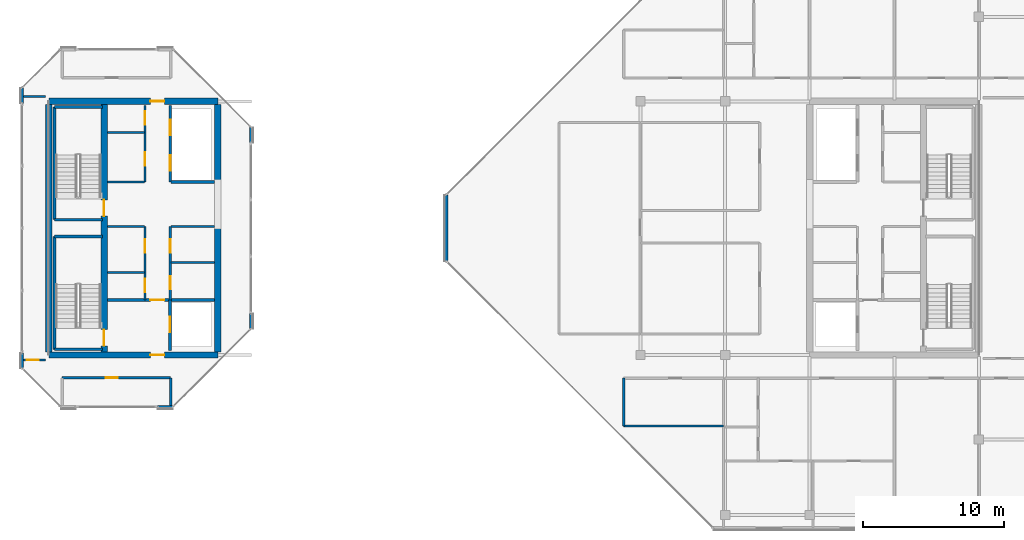
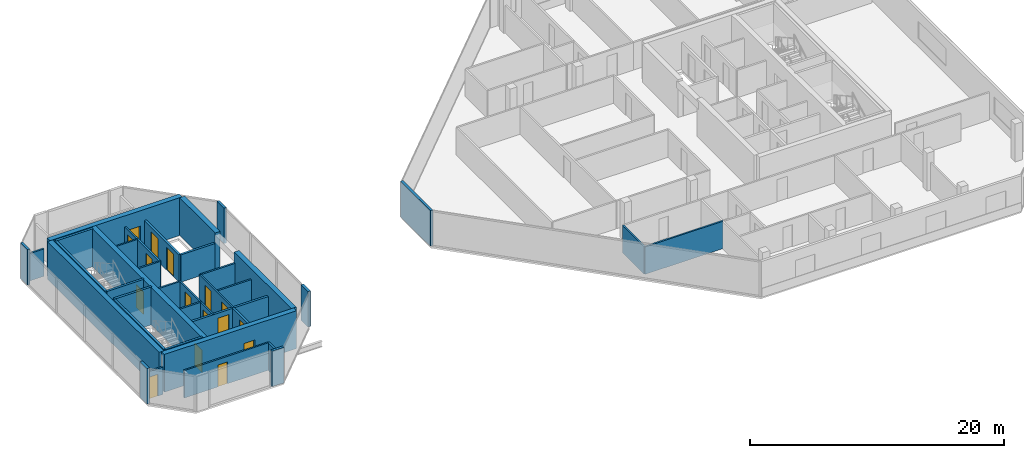
# One storey, part 21 of 28: 37 walls, 16 doors, 16 openings.
"""IFC4 building model written with IfcOpenShell, lengths in metres."""

from ifc_helpers import new_model, si_unit, direction, frame, frame_2d, origin, place, context, subcontext, project, spatial, rectangle, extrude, material, layer, layer_set, type_object, element, fill, save


model = new_model("IFC4")

# Units and contexts
model_context = context("Model", 3, precision=1e-05, world=origin(), true_north=direction((0.0, 1.0)))
body_context = subcontext(model_context, "Body", "Model", "MODEL_VIEW")
ifc_project = project(units=[si_unit("LENGTHUNIT", "METRE"), si_unit("AREAUNIT", "SQUARE_METRE"), si_unit("VOLUMEUNIT", "CUBIC_METRE"), si_unit("PLANEANGLEUNIT", "RADIAN"), si_unit("MASSUNIT", "GRAM", prefix="KILO")], contexts=[model_context])

# Site, building, storey
site_placement = place(None, origin())
site = spatial("IfcSite", under=ifc_project, at=site_placement, CompositionType="ELEMENT")
building_placement = place(site_placement, origin())
building = spatial("IfcBuilding", under=site, at=building_placement, Name="Tanjung Sevakor Pilgrim Tower", CompositionType="ELEMENT")
storey_placement = place(building_placement, frame((0.0, 0.0, 249.81005859375)))
storey = spatial("IfcBuildingStorey", under=building, at=storey_placement, Name="L70", CompositionType="ELEMENT", Elevation=249.81005859375)

# Wall, opening, door
ifc_material_1 = material(Name="Concrete C60/75", Category="concrete")
ifc_layer_1 = layer(ifc_material_1, 0.449951171875)
ifc_layer_set_1 = layer_set([ifc_layer_1], Name="WALL-CW-450")
wall_type_1 = type_object("IfcWallType", Name="WALL-CW-450", PredefinedType="SHEAR", material=ifc_layer_set_1)
wall_1_placement = place(storey_placement, frame((24.0, 24.60009765625, 0.0), z_axis=(0.0, 0.0, 1.0), x_axis=(1.0, 0.0, 0.0)))
wall_1 = element("IfcWall", 1, at=wall_1_placement, inside=storey, type_object=wall_type_1, Name="L70 W Core South Shear Wall", PredefinedType="SHEAR", context=body_context, shape_type="SweptSolid", body=[
    extrude(rectangle(XDim=12.0, YDim=0.449951171875, at=frame_2d((6.0, 0.0))), origin(), (0.0, 0.0, 1.0), 3.6298828125),
])
opening_1_placement = place(wall_1_placement, frame((7.199951171875, 0.0, 0.0)))
opening_1 = element("IfcOpeningElement", 2, at=opening_1_placement, cuts=wall_1, Name="Opening ID-FD1", PredefinedType="OPENING", context=body_context, shape_type="SweptSolid", body=[
    extrude(rectangle(XDim=1.0, YDim=2.14990234375, at=frame_2d((0.5, 1.074951171875))), frame((0.0, 0.23486328125, 0.0), z_axis=(0.0, -1.0, 0.0), x_axis=(1.0, 0.0, 0.0)), (0.0, 0.0, 1.0), 0.469970703125),
])
ifc_material_2 = material(Name="Fire-Rated Steel S355J2", Category="steel")
door_type_1 = type_object("IfcDoorType", Name="DT-FIRE-1000", OperationType="NOTDEFINED", PredefinedType="DOOR", material=ifc_material_2)
door_1_placement = place(opening_1_placement, origin())
door_1 = element("IfcDoor", 3, at=door_1_placement, inside=storey, type_object=door_type_1, Name="L70 West Core South Vestibule Fire Door", OperationType="SINGLE_SWING_LEFT", OverallHeight=2.14990234375, OverallWidth=1.0, PredefinedType="DOOR", context=body_context, shape_type="SweptSolid", body=[
    extrude(rectangle(XDim=1.0, YDim=2.14990234375, at=frame_2d((0.5, 1.074951171875))), frame((0.0, 0.02490234375, 0.0), z_axis=(0.0, -1.0, 0.0), x_axis=(1.0, 0.0, 0.0)), (0.0, 0.0, 1.0), 0.050048828125),
])
fill(opening_1, door_1)

wall_2_placement = place(storey_placement, frame((36.0, 42.60009765625, 0.0), z_axis=(0.0, 0.0, 1.0), x_axis=(-1.0, 0.0, 0.0)))
wall_2 = element("IfcWall", 4, at=wall_2_placement, inside=storey, type_object=wall_type_1, Name="L70 W Core North Shear Wall", PredefinedType="SHEAR", context=body_context, shape_type="SweptSolid", body=[
    extrude(rectangle(XDim=12.0, YDim=0.449951171875, at=frame_2d((6.0, 0.0))), origin(), (0.0, 0.0, 1.0), 3.6298828125),
])
opening_2_placement = place(wall_2_placement, frame((3.800048828125, 0.0, 0.0)))
opening_2 = element("IfcOpeningElement", 5, at=opening_2_placement, cuts=wall_2, Name="Opening ID-FD1", PredefinedType="OPENING", context=body_context, shape_type="SweptSolid", body=[
    extrude(rectangle(XDim=1.0, YDim=2.14990234375, at=frame_2d((0.5, 1.074951171875))), frame((0.0, 0.23486328125, 0.0), z_axis=(0.0, -1.0, 0.0), x_axis=(1.0, 0.0, 0.0)), (0.0, 0.0, 1.0), 0.469970703125),
])
door_2_placement = place(opening_2_placement, origin())
door_2 = element("IfcDoor", 6, at=door_2_placement, inside=storey, type_object=door_type_1, Name="L70 West Core North Vestibule Fire Door", OperationType="SINGLE_SWING_RIGHT", OverallHeight=2.14990234375, OverallWidth=1.0, PredefinedType="DOOR", context=body_context, shape_type="SweptSolid", body=[
    extrude(rectangle(XDim=1.0, YDim=2.14990234375, at=frame_2d((0.5, 1.074951171875))), frame((0.0, 0.02490234375, 0.0), z_axis=(0.0, -1.0, 0.0), x_axis=(1.0, 0.0, 0.0)), (0.0, 0.0, 1.0), 0.050048828125),
])
fill(opening_2, door_2)

# Walls
wall_3_placement = place(storey_placement, frame((24.0, 24.824951171875, 0.0), z_axis=(0.0, 0.0, 1.0), x_axis=(0.0, 1.0, 0.0)))
element("IfcWall", 7, at=wall_3_placement, inside=storey, type_object=wall_type_1, Name="L70 W Core Outer Shear Wall", PredefinedType="SHEAR", context=body_context, shape_type="SweptSolid", body=[
    extrude(rectangle(XDim=17.550048828125, YDim=0.449951171875, at=frame_2d((8.77490234375, 0.0))), origin(), (0.0, 0.0, 1.0), 3.6298828125),
])
wall_4_placement = place(storey_placement, frame((36.0, 24.824951171875, 0.0), z_axis=(0.0, 0.0, 1.0), x_axis=(0.0, 1.0, 0.0)))
element("IfcWall", 8, at=wall_4_placement, inside=storey, type_object=wall_type_1, Name="L70 W Core Inner Shear Wall South", PredefinedType="SHEAR", context=body_context, shape_type="SweptSolid", body=[
    extrude(rectangle(XDim=8.97509765625, YDim=0.449951171875, at=frame_2d((4.487548828125, 0.0))), origin(), (0.0, 0.0, 1.0), 3.6298828125),
])
wall_5_placement = place(storey_placement, frame((36.0, 36.800048828125, 0.0), z_axis=(0.0, 0.0, 1.0), x_axis=(0.0, 1.0, 0.0)))
element("IfcWall", 9, at=wall_5_placement, inside=storey, type_object=wall_type_1, Name="L70 W Core Inner Shear Wall North", PredefinedType="SHEAR", context=body_context, shape_type="SweptSolid", body=[
    extrude(rectangle(XDim=5.574951171875, YDim=0.449951171875, at=frame_2d((2.78759765625, 0.0))), origin(), (0.0, 0.0, 1.0), 3.6298828125),
])

# Wall, openings, doors
wall_6_placement = place(storey_placement, frame((27.925048828125, 24.824951171875, 0.0), z_axis=(0.0, 0.0, 1.0), x_axis=(0.0, 1.0, 0.0)))
wall_6 = element("IfcWall", 10, at=wall_6_placement, inside=storey, type_object=wall_type_1, Name="L70 W Core Stair Spine Wall", PredefinedType="SHEAR", context=body_context, shape_type="SweptSolid", body=[
    extrude(rectangle(XDim=17.550048828125, YDim=0.449951171875, at=frame_2d((8.77490234375, 0.0))), origin(), (0.0, 0.0, 1.0), 3.6298828125),
])
opening_3_placement = place(wall_6_placement, frame((0.425048828125, 0.0, 0.0)))
opening_3 = element("IfcOpeningElement", 11, at=opening_3_placement, cuts=wall_6, Name="Opening ID-ST1", PredefinedType="OPENING", context=body_context, shape_type="SweptSolid", body=[
    extrude(rectangle(XDim=1.14990234375, YDim=2.14990234375, at=frame_2d((0.574951171875, 1.074951171875))), frame((0.0, 0.23486328125, 0.0), z_axis=(0.0, -1.0, 0.0), x_axis=(1.0, 0.0, 0.0)), (0.0, 0.0, 1.0), 0.469970703125),
])
opening_4_placement = place(wall_6_placement, frame((9.625, 0.0, 0.0)))
opening_4 = element("IfcOpeningElement", 12, at=opening_4_placement, cuts=wall_6, Name="Opening ID-ST1", PredefinedType="OPENING", context=body_context, shape_type="SweptSolid", body=[
    extrude(rectangle(XDim=1.14990234375, YDim=2.14990234375, at=frame_2d((0.574951171875, 1.074951171875))), frame((0.0, 0.23486328125, 0.0), z_axis=(0.0, -1.0, 0.0), x_axis=(1.0, 0.0, 0.0)), (0.0, 0.0, 1.0), 0.469970703125),
])
ifc_material_3 = material(Name="Fire-Rated Steel S355J2", Category="steel")
door_type_2 = type_object("IfcDoorType", Name="DT-FIRE-1150", OperationType="NOTDEFINED", PredefinedType="DOOR", material=ifc_material_3)
door_3_placement = place(opening_3_placement, origin())
door_3 = element("IfcDoor", 13, at=door_3_placement, inside=storey, type_object=door_type_2, Name="L70 TS-W1 Stair Fire Door", OperationType="SINGLE_SWING_LEFT", OverallHeight=2.14990234375, OverallWidth=1.14990234375, PredefinedType="DOOR", context=body_context, shape_type="SweptSolid", body=[
    extrude(rectangle(XDim=1.14990234375, YDim=2.14990234375, at=frame_2d((0.574951171875, 1.074951171875))), frame((0.0, 0.02490234375, 0.0), z_axis=(0.0, -1.0, 0.0), x_axis=(1.0, 0.0, 0.0)), (0.0, 0.0, 1.0), 0.050048828125),
])
fill(opening_3, door_3)
door_4_placement = place(opening_4_placement, origin())
door_4 = element("IfcDoor", 14, at=door_4_placement, inside=storey, type_object=door_type_2, Name="L70 TS-W2 Stair Fire Door", OperationType="SINGLE_SWING_RIGHT", OverallHeight=2.14990234375, OverallWidth=1.14990234375, PredefinedType="DOOR", context=body_context, shape_type="SweptSolid", body=[
    extrude(rectangle(XDim=1.14990234375, YDim=2.14990234375, at=frame_2d((0.574951171875, 1.074951171875))), frame((0.0, 0.02490234375, 0.0), z_axis=(0.0, -1.0, 0.0), x_axis=(1.0, 0.0, 0.0)), (0.0, 0.0, 1.0), 0.050048828125),
])
fill(opening_4, door_4)

# Walls
ifc_material_4 = material(Name="Concrete C40/50", Category="concrete")
ifc_layer_2 = layer(ifc_material_4, 0.14990234375)
ifc_layer_set_2 = layer_set([ifc_layer_2], Name="WT-COMP-150")
wall_type_2 = type_object("IfcWallType", Name="WT-COMP-150", PredefinedType="SOLIDWALL", material=ifc_layer_set_2)
for number, where, z_axis, x_axis, name in (
    (15, (28.169921875, 30.449951171875, 0.0), (0.0, 0.0, 1.0), (1.0, 0.0, 0.0), "L70 Partition IW-L70-003"),
    (16, (28.169921875, 33.719970703125, 0.0), (0.0, 0.0, 1.0), (1.0, 0.0, 0.0), "L70 Partition IW-L70-004"),
):
    element("IfcWall", number, at=place(storey_placement, frame(where, z_axis=z_axis, x_axis=x_axis)), inside=storey, type_object=wall_type_2, Name=name, PredefinedType="SOLIDWALL", context=body_context, shape_type="SweptSolid", body=[
        extrude(rectangle(XDim=2.630126953125, YDim=0.14990234375, at=frame_2d((1.31494140625, 0.0))), origin(), (0.0, 0.0, 1.0), 2.6298828125),
    ])

# Wall, openings, doors
wall_7_placement = place(storey_placement, frame((30.820068359375, 28.5, 0.0), z_axis=(0.0, 0.0, 1.0), x_axis=(0.0, 1.0, 0.0)))
wall_7 = element("IfcWall", 17, at=wall_7_placement, inside=storey, type_object=wall_type_2, Name="L70 Partition IW-L70-005", PredefinedType="SOLIDWALL", context=body_context, shape_type="SweptSolid", body=[
    extrude(rectangle(XDim=5.219970703125, YDim=0.14990234375, at=frame_2d((2.60986328125, 0.0))), origin(), (0.0, 0.0, 1.0), 2.6298828125),
])
opening_5_placement = place(wall_7_placement, frame((0.550048828125, 0.0, 0.0)))
opening_5 = element("IfcOpeningElement", 18, at=opening_5_placement, cuts=wall_7, Name="Opening ID-FD2", PredefinedType="OPENING", context=body_context, shape_type="SweptSolid", body=[
    extrude(rectangle(XDim=0.949951171875, YDim=2.14990234375, at=frame_2d((0.47509765625, 1.074951171875))), frame((0.0, 0.0849609375, 0.0), z_axis=(0.0, -1.0, 0.0), x_axis=(1.0, 0.0, 0.0)), (0.0, 0.0, 1.0), 0.169921875),
])
opening_6_placement = place(wall_7_placement, frame((3.35009765625, 0.0, 0.0)))
opening_6 = element("IfcOpeningElement", 19, at=opening_6_placement, cuts=wall_7, Name="Opening ID-FD2", PredefinedType="OPENING", context=body_context, shape_type="SweptSolid", body=[
    extrude(rectangle(XDim=0.949951171875, YDim=2.14990234375, at=frame_2d((0.47509765625, 1.074951171875))), frame((0.0, 0.0849609375, 0.0), z_axis=(0.0, -1.0, 0.0), x_axis=(1.0, 0.0, 0.0)), (0.0, 0.0, 1.0), 0.169921875),
])
ifc_material_5 = material(Name="Fire-Rated Timber", Category="wood")
door_type_3 = type_object("IfcDoorType", Name="DT-FIRE-950", OperationType="NOTDEFINED", PredefinedType="DOOR", material=ifc_material_5)
door_5_placement = place(opening_5_placement, origin())
door_5 = element("IfcDoor", 20, at=door_5_placement, inside=storey, type_object=door_type_3, Name="L70 Cleaner Store Door", OperationType="SINGLE_SWING_LEFT", OverallHeight=2.14990234375, OverallWidth=0.949951171875, PredefinedType="DOOR", context=body_context, shape_type="SweptSolid", body=[
    extrude(rectangle(XDim=0.949951171875, YDim=2.14990234375, at=frame_2d((0.47509765625, 1.074951171875))), frame((0.0, 0.02490234375, 0.0), z_axis=(0.0, -1.0, 0.0), x_axis=(1.0, 0.0, 0.0)), (0.0, 0.0, 1.0), 0.050048828125),
])
fill(opening_5, door_5)
door_6_placement = place(opening_6_placement, origin())
door_6 = element("IfcDoor", 21, at=door_6_placement, inside=storey, type_object=door_type_3, Name="L70 Housekeeping Pantry Door", OperationType="SINGLE_SWING_RIGHT", OverallHeight=2.14990234375, OverallWidth=0.949951171875, PredefinedType="DOOR", context=body_context, shape_type="SweptSolid", body=[
    extrude(rectangle(XDim=0.949951171875, YDim=2.14990234375, at=frame_2d((0.47509765625, 1.074951171875))), frame((0.0, 0.02490234375, 0.0), z_axis=(0.0, -1.0, 0.0), x_axis=(1.0, 0.0, 0.0)), (0.0, 0.0, 1.0), 0.050048828125),
])
fill(opening_6, door_6)

# Walls
for number, where, z_axis, x_axis, name in (
    (22, (32.679931640625, 31.14990234375, 0.0), (0.0, 0.0, 1.0), (1.0, 0.0, 0.0), "L70 Partition IW-L70-006"),
    (23, (32.679931640625, 33.719970703125, 0.0), (0.0, 0.0, 1.0), (1.0, 0.0, 0.0), "L70 Partition IW-L70-007"),
):
    element("IfcWall", number, at=place(storey_placement, frame(where, z_axis=z_axis, x_axis=x_axis)), inside=storey, type_object=wall_type_2, Name=name, PredefinedType="SOLIDWALL", context=body_context, shape_type="SweptSolid", body=[
        extrude(rectangle(XDim=3.074951171875, YDim=0.14990234375, at=frame_2d((1.53759765625, 0.0))), origin(), (0.0, 0.0, 1.0), 2.6298828125),
    ])

# Wall, openings, doors
wall_8_placement = place(storey_placement, frame((32.6201171875, 28.5, 0.0), z_axis=(0.0, 0.0, 1.0), x_axis=(0.0, 1.0, 0.0)))
wall_8 = element("IfcWall", 24, at=wall_8_placement, inside=storey, type_object=wall_type_2, Name="L70 Partition IW-L70-008", PredefinedType="SOLIDWALL", context=body_context, shape_type="SweptSolid", body=[
    extrude(rectangle(XDim=5.219970703125, YDim=0.14990234375, at=frame_2d((2.60986328125, 0.0))), origin(), (0.0, 0.0, 1.0), 2.6298828125),
])
opening_7_placement = place(wall_8_placement, frame((0.75, 0.0, 0.0)))
opening_7 = element("IfcOpeningElement", 25, at=opening_7_placement, cuts=wall_8, Name="Opening ID-FD2", PredefinedType="OPENING", context=body_context, shape_type="SweptSolid", body=[
    extrude(rectangle(XDim=0.949951171875, YDim=2.14990234375, at=frame_2d((0.47509765625, 1.074951171875))), frame((0.0, 0.0849609375, 0.0), z_axis=(0.0, -1.0, 0.0), x_axis=(1.0, 0.0, 0.0)), (0.0, 0.0, 1.0), 0.169921875),
])
opening_8_placement = place(wall_8_placement, frame((3.35009765625, 0.0, 0.0)))
opening_8 = element("IfcOpeningElement", 26, at=opening_8_placement, cuts=wall_8, Name="Opening ID-FD2", PredefinedType="OPENING", context=body_context, shape_type="SweptSolid", body=[
    extrude(rectangle(XDim=0.949951171875, YDim=2.14990234375, at=frame_2d((0.47509765625, 1.074951171875))), frame((0.0, 0.0849609375, 0.0), z_axis=(0.0, -1.0, 0.0), x_axis=(1.0, 0.0, 0.0)), (0.0, 0.0, 1.0), 0.169921875),
])
door_7_placement = place(opening_7_placement, origin())
door_7 = element("IfcDoor", 27, at=door_7_placement, inside=storey, type_object=door_type_3, Name="L70 Accessible WC Door", OperationType="SINGLE_SWING_LEFT", OverallHeight=2.14990234375, OverallWidth=0.949951171875, PredefinedType="DOOR", context=body_context, shape_type="SweptSolid", body=[
    extrude(rectangle(XDim=0.949951171875, YDim=2.14990234375, at=frame_2d((0.47509765625, 1.074951171875))), frame((0.0, 0.02490234375, 0.0), z_axis=(0.0, -1.0, 0.0), x_axis=(1.0, 0.0, 0.0)), (0.0, 0.0, 1.0), 0.050048828125),
])
fill(opening_7, door_7)
door_8_placement = place(opening_8_placement, origin())
door_8 = element("IfcDoor", 28, at=door_8_placement, inside=storey, type_object=door_type_3, Name="L70 Core Service Door", OperationType="SINGLE_SWING_RIGHT", OverallHeight=2.14990234375, OverallWidth=0.949951171875, PredefinedType="DOOR", context=body_context, shape_type="SweptSolid", body=[
    extrude(rectangle(XDim=0.949951171875, YDim=2.14990234375, at=frame_2d((0.47509765625, 1.074951171875))), frame((0.0, 0.02490234375, 0.0), z_axis=(0.0, -1.0, 0.0), x_axis=(1.0, 0.0, 0.0)), (0.0, 0.0, 1.0), 0.050048828125),
])
fill(opening_8, door_8)

# Walls
for number, where, z_axis, x_axis, name in (
    (29, (28.169921875, 36.8798828125, 0.0), (0.0, 0.0, 1.0), (1.0, 0.0, 0.0), "L70 Partition IW-L70-009"),
    (30, (28.169921875, 40.389892578125, 0.0), (0.0, 0.0, 1.0), (1.0, 0.0, 0.0), "L70 Partition IW-L70-010"),
):
    element("IfcWall", number, at=place(storey_placement, frame(where, z_axis=z_axis, x_axis=x_axis)), inside=storey, type_object=wall_type_2, Name=name, PredefinedType="SOLIDWALL", context=body_context, shape_type="SweptSolid", body=[
        extrude(rectangle(XDim=2.630126953125, YDim=0.14990234375, at=frame_2d((1.31494140625, 0.0))), origin(), (0.0, 0.0, 1.0), 2.6298828125),
    ])

# Wall, openings, doors
wall_9_placement = place(storey_placement, frame((30.820068359375, 36.8798828125, 0.0), z_axis=(0.0, 0.0, 1.0), x_axis=(0.0, 1.0, 0.0)))
wall_9 = element("IfcWall", 31, at=wall_9_placement, inside=storey, type_object=wall_type_2, Name="L70 Partition IW-L70-011", PredefinedType="SOLIDWALL", context=body_context, shape_type="SweptSolid", body=[
    extrude(rectangle(XDim=5.420166015625, YDim=0.14990234375, at=frame_2d((2.7099609375, 0.0))), origin(), (0.0, 0.0, 1.0), 2.6298828125),
])
opening_9_placement = place(wall_9_placement, frame((1.14990234375, 0.0, 0.0)))
opening_9 = element("IfcOpeningElement", 32, at=opening_9_placement, cuts=wall_9, Name="Opening ID-FD2", PredefinedType="OPENING", context=body_context, shape_type="SweptSolid", body=[
    extrude(rectangle(XDim=0.949951171875, YDim=2.14990234375, at=frame_2d((0.47509765625, 1.074951171875))), frame((0.0, 0.0849609375, 0.0), z_axis=(0.0, -1.0, 0.0), x_axis=(1.0, 0.0, 0.0)), (0.0, 0.0, 1.0), 0.169921875),
])
opening_10_placement = place(wall_9_placement, frame((4.050048828125, 0.0, 0.0)))
opening_10 = element("IfcOpeningElement", 33, at=opening_10_placement, cuts=wall_9, Name="Opening ID-FD2", PredefinedType="OPENING", context=body_context, shape_type="SweptSolid", body=[
    extrude(rectangle(XDim=0.949951171875, YDim=2.14990234375, at=frame_2d((0.47509765625, 1.074951171875))), frame((0.0, 0.0849609375, 0.0), z_axis=(0.0, -1.0, 0.0), x_axis=(1.0, 0.0, 0.0)), (0.0, 0.0, 1.0), 0.169921875),
])
door_9_placement = place(opening_9_placement, origin())
door_9 = element("IfcDoor", 34, at=door_9_placement, inside=storey, type_object=door_type_3, Name="L70 Core Study Room Door", OperationType="SINGLE_SWING_LEFT", OverallHeight=2.14990234375, OverallWidth=0.949951171875, PredefinedType="DOOR", context=body_context, shape_type="SweptSolid", body=[
    extrude(rectangle(XDim=0.949951171875, YDim=2.14990234375, at=frame_2d((0.47509765625, 1.074951171875))), frame((0.0, 0.02490234375, 0.0), z_axis=(0.0, -1.0, 0.0), x_axis=(1.0, 0.0, 0.0)), (0.0, 0.0, 1.0), 0.050048828125),
])
fill(opening_9, door_9)
door_10_placement = place(opening_10_placement, origin())
door_10 = element("IfcDoor", 35, at=door_10_placement, inside=storey, type_object=door_type_3, Name="L70 Service Store Door", OperationType="SINGLE_SWING_RIGHT", OverallHeight=2.14990234375, OverallWidth=0.949951171875, PredefinedType="DOOR", context=body_context, shape_type="SweptSolid", body=[
    extrude(rectangle(XDim=0.949951171875, YDim=2.14990234375, at=frame_2d((0.47509765625, 1.074951171875))), frame((0.0, 0.02490234375, 0.0), z_axis=(0.0, -1.0, 0.0), x_axis=(1.0, 0.0, 0.0)), (0.0, 0.0, 1.0), 0.050048828125),
])
fill(opening_10, door_10)

# Wall, opening, door
wall_10_placement = place(storey_placement, frame((24.949951171875, 22.97998046875, 0.0), z_axis=(0.0, 0.0, 1.0), x_axis=(1.0, 0.0, 0.0)))
wall_10 = element("IfcWall", 36, at=wall_10_placement, inside=storey, type_object=wall_type_2, Name="L70 Partition IW-L70-027", PredefinedType="SOLIDWALL", context=body_context, shape_type="SweptSolid", body=[
    extrude(rectangle(XDim=7.699951171875, YDim=0.14990234375, at=frame_2d((3.85009765625, 0.0))), origin(), (0.0, 0.0, 1.0), 2.6298828125),
])
opening_11_placement = place(wall_10_placement, frame((3.074951171875, 0.0, 0.0)))
opening_11 = element("IfcOpeningElement", 37, at=opening_11_placement, cuts=wall_10, Name="Opening ID-WC1", PredefinedType="OPENING", context=body_context, shape_type="SweptSolid", body=[
    extrude(rectangle(XDim=0.85009765625, YDim=2.10009765625, at=frame_2d((0.425048828125, 1.050048828125))), frame((0.0, 0.0849609375, 0.0), z_axis=(0.0, -1.0, 0.0), x_axis=(1.0, 0.0, 0.0)), (0.0, 0.0, 1.0), 0.169921875),
])
ifc_material_6 = material(Name="Moisture-Resistant Timber", Category="wood")
door_type_4 = type_object("IfcDoorType", Name="DT-INT-850", OperationType="NOTDEFINED", PredefinedType="DOOR", material=ifc_material_6)
door_11_placement = place(opening_11_placement, origin())
door_11 = element("IfcDoor", 38, at=door_11_placement, inside=storey, type_object=door_type_4, Name="L70 West Peak Meditation Door", OperationType="SINGLE_SWING_LEFT", OverallHeight=2.10009765625, OverallWidth=0.85009765625, PredefinedType="DOOR", context=body_context, shape_type="SweptSolid", body=[
    extrude(rectangle(XDim=0.85009765625, YDim=2.10009765625, at=frame_2d((0.425048828125, 1.050048828125))), frame((0.0, 0.02490234375, 0.0), z_axis=(0.0, -1.0, 0.0), x_axis=(1.0, 0.0, 0.0)), (0.0, 0.0, 1.0), 0.050048828125),
])
fill(opening_11, door_11)

# Wall
wall_11_placement = place(storey_placement, frame((32.64990234375, 20.919921875, 0.0), z_axis=(0.0, 0.0, 1.0), x_axis=(0.0, 1.0, 0.0)))
element("IfcWall", 39, at=wall_11_placement, inside=storey, type_object=wall_type_2, Name="L70 Partition IW-L70-029", PredefinedType="SOLIDWALL", context=body_context, shape_type="SweptSolid", body=[
    extrude(rectangle(XDim=2.06005859375, YDim=0.14990234375, at=frame_2d((1.030029296875, 0.0))), origin(), (0.0, 0.0, 1.0), 2.6298828125),
])

# Wall, opening, door
wall_12_placement = place(storey_placement, frame((22.1201171875, 24.25, 0.0), z_axis=(0.0, 0.0, 1.0), x_axis=(1.0, 0.0, 0.0)))
wall_12 = element("IfcWall", 40, at=wall_12_placement, inside=storey, type_object=wall_type_2, Name="L70 Partition IW-L70-030", PredefinedType="SOLIDWALL", context=body_context, shape_type="SweptSolid", body=[
    extrude(rectangle(XDim=1.639892578125, YDim=0.14990234375, at=frame_2d((0.81982421875, 0.0))), origin(), (0.0, 0.0, 1.0), 2.6298828125),
])
opening_12_placement = place(wall_12_placement, frame((0.324951171875, 0.0, 0.0)))
opening_12 = element("IfcOpeningElement", 41, at=opening_12_placement, cuts=wall_12, Name="Opening ID-WC1", PredefinedType="OPENING", context=body_context, shape_type="SweptSolid", body=[
    extrude(rectangle(XDim=0.85009765625, YDim=2.10009765625, at=frame_2d((0.425048828125, 1.050048828125))), frame((0.0, 0.0849609375, 0.0), z_axis=(0.0, -1.0, 0.0), x_axis=(1.0, 0.0, 0.0)), (0.0, 0.0, 1.0), 0.169921875),
])
door_12_placement = place(opening_12_placement, origin())
door_12 = element("IfcDoor", 42, at=door_12_placement, inside=storey, type_object=door_type_4, Name="L70 West Peak Sky Lounge Door", OperationType="SINGLE_SWING_RIGHT", OverallHeight=2.10009765625, OverallWidth=0.85009765625, PredefinedType="DOOR", context=body_context, shape_type="SweptSolid", body=[
    extrude(rectangle(XDim=0.85009765625, YDim=2.10009765625, at=frame_2d((0.425048828125, 1.050048828125))), frame((0.0, 0.02490234375, 0.0), z_axis=(0.0, -1.0, 0.0), x_axis=(1.0, 0.0, 0.0)), (0.0, 0.0, 1.0), 0.050048828125),
])
fill(opening_12, door_12)

# Walls
wall_13_placement = place(storey_placement, frame((22.1201171875, 42.949951171875, 0.0), z_axis=(0.0, 0.0, 1.0), x_axis=(1.0, 0.0, 0.0)))
element("IfcWall", 43, at=wall_13_placement, inside=storey, type_object=wall_type_2, Name="L70 Partition IW-L70-031", PredefinedType="SOLIDWALL", context=body_context, shape_type="SweptSolid", body=[
    extrude(rectangle(XDim=1.639892578125, YDim=0.14990234375, at=frame_2d((0.81982421875, 0.0))), origin(), (0.0, 0.0, 1.0), 2.6298828125),
])
wall_14_placement = place(storey_placement, frame((64.800048828125, 19.550048828125, 0.0), z_axis=(0.0, 0.0, 1.0), x_axis=(1.0, 0.0, 0.0)))
element("IfcWall", 44, at=wall_14_placement, inside=storey, type_object=wall_type_2, Name="L70 Partition IW-L70-035", PredefinedType="SOLIDWALL", context=body_context, shape_type="SweptSolid", body=[
    extrude(rectangle(XDim=7.079833984375, YDim=0.14990234375, at=frame_2d((3.5400390625, 0.0))), origin(), (0.0, 0.0, 1.0), 2.6298828125),
])
wall_15_placement = place(storey_placement, frame((64.800048828125, 19.550048828125, 0.0), z_axis=(0.0, 0.0, 1.0), x_axis=(0.0, 1.0, 0.0)))
element("IfcWall", 45, at=wall_15_placement, inside=storey, type_object=wall_type_2, Name="L70 Partition IW-L70-037", PredefinedType="SOLIDWALL", context=body_context, shape_type="SweptSolid", body=[
    extrude(rectangle(XDim=3.39990234375, YDim=0.14990234375, at=frame_2d((1.699951171875, 0.0))), origin(), (0.0, 0.0, 1.0), 2.6298828125),
])
ifc_material_7 = material(Name="Precast concrete C45/55", Category="concrete")
ifc_layer_3 = layer(ifc_material_7, 0.219970703125)
ifc_layer_set_3 = layer_set([ifc_layer_3], Name="WT-EW-STN4")
wall_type_3 = type_object("IfcWallType", Name="WT-EW-STN4", PredefinedType="SOLIDWALL", material=ifc_layer_set_3)
for number, where, z_axis, x_axis, name in (
    (46, (31.704345703125, 20.909912109375, 0.0), (0.0, 0.0, 1.0), (1.0, 0.0, 0.0), "L70 WEST Crown Pier 0-1B"),
    (47, (38.340087890625, 26.445556640625, 0.0), (0.0, 0.0, 1.0), (0.0, 1.0, 0.0), "L70 WEST Crown Pier 2-1A"),
    (48, (38.340087890625, 39.654296875, 0.0), (0.0, 0.0, 1.0), (0.0, 1.0, 0.0), "L70 WEST Crown Pier 2-1B"),
    (49, (22.110107421875, 43.554443359375, 0.0), (0.0, 0.0, 1.0), (0.0, -1.0, 0.0), "L70 WEST Crown Pier 6-1A"),
    (50, (22.110107421875, 24.74560546875, 0.0), (0.0, 0.0, 1.0), (0.0, -1.0, 0.0), "L70 WEST Crown Pier 6-1B"),
):
    element("IfcWall", number, at=place(storey_placement, frame(where, z_axis=z_axis, x_axis=x_axis)), inside=storey, type_object=wall_type_3, Name=name, PredefinedType="SOLIDWALL", context=body_context, shape_type="SweptSolid", body=[
        extrude(rectangle(XDim=1.10009765625, YDim=0.219970703125, at=frame_2d((0.550048828125, 0.0))), origin(), (0.0, 0.0, 1.0), 3.409912109375),
    ])
wall_16_placement = place(storey_placement, frame((52.2099609375, 35.954345703125, 0.0), z_axis=(0.0, 0.0, 1.0), x_axis=(0.0, -1.0, 0.0)))
element("IfcWall", 51, at=wall_16_placement, inside=storey, type_object=wall_type_3, Name="L70 EAST Exterior Wall 7", PredefinedType="SOLIDWALL", context=body_context, shape_type="SweptSolid", body=[
    extrude(rectangle(XDim=4.708740234375, YDim=0.219970703125, at=frame_2d((2.3544921875, 0.0))), origin(), (0.0, 0.0, 1.0), 3.409912109375),
])
ifc_material_8 = material(Name="Concrete C40/50", Category="concrete")
ifc_layer_4 = layer(ifc_material_8, 0.199951171875)
ifc_layer_set_4 = layer_set([ifc_layer_4], Name="WT-FIRE-200")
wall_type_4 = type_object("IfcWallType", Name="WT-FIRE-200", PredefinedType="SOLIDWALL", material=ifc_layer_set_4)
for number, where, z_axis, x_axis, name in (
    (52, (24.39990234375, 25.0, 0.0), (0.0, 0.0, 1.0), (1.0, 0.0, 0.0), "L70 TS-W1 Shaft Wall 1"),
    (53, (27.800048828125, 33.0, 0.0), (0.0, 0.0, 1.0), (-1.0, 0.0, 0.0), "L70 TS-W1 Shaft Wall 2"),
):
    element("IfcWall", number, at=place(storey_placement, frame(where, z_axis=z_axis, x_axis=x_axis)), inside=storey, type_object=wall_type_4, Name=name, PredefinedType="SOLIDWALL", context=body_context, shape_type="SweptSolid", body=[
        extrude(rectangle(XDim=3.400146484375, YDim=0.199951171875, at=frame_2d((1.7001953125, 0.0))), origin(), (0.0, 0.0, 1.0), 3.6298828125),
    ])
wall_17_placement = place(storey_placement, frame((24.39990234375, 33.0, 0.0), z_axis=(0.0, 0.0, 1.0), x_axis=(0.0, -1.0, 0.0)))
element("IfcWall", 54, at=wall_17_placement, inside=storey, type_object=wall_type_4, Name="L70 TS-W1 Shaft Wall 3", PredefinedType="SOLIDWALL", context=body_context, shape_type="SweptSolid", body=[
    extrude(rectangle(XDim=8.0, YDim=0.199951171875, at=frame_2d((4.0, 0.0))), origin(), (0.0, 0.0, 1.0), 3.6298828125),
])
for number, where, z_axis, x_axis, name in (
    (55, (24.39990234375, 34.199951171875, 0.0), (0.0, 0.0, 1.0), (1.0, 0.0, 0.0), "L70 TS-W2 Shaft Wall 1"),
    (56, (27.800048828125, 42.199951171875, 0.0), (0.0, 0.0, 1.0), (-1.0, 0.0, 0.0), "L70 TS-W2 Shaft Wall 2"),
):
    element("IfcWall", number, at=place(storey_placement, frame(where, z_axis=z_axis, x_axis=x_axis)), inside=storey, type_object=wall_type_4, Name=name, PredefinedType="SOLIDWALL", context=body_context, shape_type="SweptSolid", body=[
        extrude(rectangle(XDim=3.400146484375, YDim=0.199951171875, at=frame_2d((1.7001953125, 0.0))), origin(), (0.0, 0.0, 1.0), 3.6298828125),
    ])
wall_18_placement = place(storey_placement, frame((24.39990234375, 42.199951171875, 0.0), z_axis=(0.0, 0.0, 1.0), x_axis=(0.0, -1.0, 0.0)))
element("IfcWall", 57, at=wall_18_placement, inside=storey, type_object=wall_type_4, Name="L70 TS-W2 Shaft Wall 3", PredefinedType="SOLIDWALL", context=body_context, shape_type="SweptSolid", body=[
    extrude(rectangle(XDim=8.0, YDim=0.199951171875, at=frame_2d((4.0, 0.0))), origin(), (0.0, 0.0, 1.0), 3.6298828125),
])

# Wall, opening, door
ifc_material_9 = material(Name="Concrete C40/50", Category="concrete")
ifc_layer_5 = layer(ifc_material_9, 0.199951171875)
ifc_layer_set_5 = layer_set([ifc_layer_5], Name="WT-FPRT-200")
wall_type_5 = type_object("IfcWallType", Name="WT-FPRT-200", PredefinedType="SOLIDWALL", material=ifc_layer_set_5)
wall_19_placement = place(storey_placement, frame((32.60009765625, 24.919921875, 0.0), z_axis=(0.0, 0.0, 1.0), x_axis=(0.0, 1.0, 0.0)))
wall_19 = element("IfcWall", 58, at=wall_19_placement, inside=storey, type_object=wall_type_5, Name="L70 Partition IW-L70-001", PredefinedType="SOLIDWALL", context=body_context, shape_type="SweptSolid", body=[
    extrude(rectangle(XDim=3.580078125, YDim=0.199951171875, at=frame_2d((1.7900390625, 0.0))), origin(), (0.0, 0.0, 1.0), 2.6298828125),
])
opening_13_placement = place(wall_19_placement, frame((1.300048828125, 0.0, 0.0)))
opening_13 = element("IfcOpeningElement", 59, at=opening_13_placement, cuts=wall_19, Name="Opening LD-1100", PredefinedType="OPENING", context=body_context, shape_type="SweptSolid", body=[
    extrude(rectangle(XDim=1.10009765625, YDim=2.199951171875, at=frame_2d((0.550048828125, 1.10009765625))), frame((0.0, 0.10986328125, 0.0), z_axis=(0.0, -1.0, 0.0), x_axis=(1.0, 0.0, 0.0)), (0.0, 0.0, 1.0), 0.219970703125),
])
ifc_material_10 = material(Name="Brushed Stainless Steel S355J2", Category="steel")
door_type_5 = type_object("IfcDoorType", Name="DT-LIFT-1100", OperationType="SLIDING_TO_LEFT", PredefinedType="DOOR", material=ifc_material_10)
door_13_placement = place(opening_13_placement, origin())
door_13 = element("IfcDoor", 60, at=door_13_placement, inside=storey, type_object=door_type_5, Name="LD-FL-W", OperationType="SLIDING_TO_LEFT", OverallHeight=2.199951171875, OverallWidth=1.10009765625, PredefinedType="DOOR", context=body_context, shape_type="SweptSolid", body=[
    extrude(rectangle(XDim=1.10009765625, YDim=2.199951171875, at=frame_2d((0.550048828125, 1.10009765625))), frame((0.0, 0.02490234375, 0.0), z_axis=(0.0, -1.0, 0.0), x_axis=(1.0, 0.0, 0.0)), (0.0, 0.0, 1.0), 0.050048828125),
])
fill(opening_13, door_13)

wall_20_placement = place(storey_placement, frame((28.169921875, 28.5, 0.0), z_axis=(0.0, 0.0, 1.0), x_axis=(1.0, 0.0, 0.0)))
wall_20 = element("IfcWall", 61, at=wall_20_placement, inside=storey, type_object=wall_type_5, Name="L70 Partition IW-L70-002", PredefinedType="SOLIDWALL", context=body_context, shape_type="SweptSolid", body=[
    extrude(rectangle(XDim=7.5849609375, YDim=0.199951171875, at=frame_2d((3.79248046875, 0.0))), origin(), (0.0, 0.0, 1.0), 2.6298828125),
])
opening_14_placement = place(wall_20_placement, frame((3.030029296875, 0.0, 0.0)))
opening_14 = element("IfcOpeningElement", 62, at=opening_14_placement, cuts=wall_20, Name="Opening ID-FD1", PredefinedType="OPENING", context=body_context, shape_type="SweptSolid", body=[
    extrude(rectangle(XDim=1.0, YDim=2.14990234375, at=frame_2d((0.5, 1.074951171875))), frame((0.0, 0.10986328125, 0.0), z_axis=(0.0, -1.0, 0.0), x_axis=(1.0, 0.0, 0.0)), (0.0, 0.0, 1.0), 0.219970703125),
])
door_14_placement = place(opening_14_placement, origin())
door_14 = element("IfcDoor", 63, at=door_14_placement, inside=storey, type_object=door_type_1, Name="Fire Lobby Door W", OperationType="SINGLE_SWING_RIGHT", OverallHeight=2.14990234375, OverallWidth=1.0, PredefinedType="DOOR", context=body_context, shape_type="SweptSolid", body=[
    extrude(rectangle(XDim=1.0, YDim=2.14990234375, at=frame_2d((0.5, 1.074951171875))), frame((0.0, 0.02490234375, 0.0), z_axis=(0.0, -1.0, 0.0), x_axis=(1.0, 0.0, 0.0)), (0.0, 0.0, 1.0), 0.050048828125),
])
fill(opening_14, door_14)

# Wall
wall_21_placement = place(storey_placement, frame((32.679931640625, 36.8798828125, 0.0), z_axis=(0.0, 0.0, 1.0), x_axis=(1.0, 0.0, 0.0)))
element("IfcWall", 64, at=wall_21_placement, inside=storey, type_object=wall_type_5, Name="L70 Partition IW-L70-012", PredefinedType="SOLIDWALL", context=body_context, shape_type="SweptSolid", body=[
    extrude(rectangle(XDim=3.074951171875, YDim=0.199951171875, at=frame_2d((1.53759765625, 0.0))), origin(), (0.0, 0.0, 1.0), 2.6298828125),
])

# Wall, openings, doors
wall_22_placement = place(storey_placement, frame((32.6201171875, 36.8798828125, 0.0), z_axis=(0.0, 0.0, 1.0), x_axis=(0.0, 1.0, 0.0)))
wall_22 = element("IfcWall", 65, at=wall_22_placement, inside=storey, type_object=wall_type_5, Name="L70 Partition IW-L70-013", PredefinedType="SOLIDWALL", context=body_context, shape_type="SweptSolid", body=[
    extrude(rectangle(XDim=5.420166015625, YDim=0.199951171875, at=frame_2d((2.7099609375, 0.0))), origin(), (0.0, 0.0, 1.0), 2.6298828125),
])
opening_15_placement = place(wall_22_placement, frame((0.800048828125, 0.0, 0.0)))
opening_15 = element("IfcOpeningElement", 66, at=opening_15_placement, cuts=wall_22, Name="Opening LD-1100", PredefinedType="OPENING", context=body_context, shape_type="SweptSolid", body=[
    extrude(rectangle(XDim=1.10009765625, YDim=2.199951171875, at=frame_2d((0.550048828125, 1.10009765625))), frame((0.0, 0.10986328125, 0.0), z_axis=(0.0, -1.0, 0.0), x_axis=(1.0, 0.0, 0.0)), (0.0, 0.0, 1.0), 0.219970703125),
])
opening_16_placement = place(wall_22_placement, frame((3.300048828125, 0.0, 0.0)))
opening_16 = element("IfcOpeningElement", 67, at=opening_16_placement, cuts=wall_22, Name="Opening LD-1100", PredefinedType="OPENING", context=body_context, shape_type="SweptSolid", body=[
    extrude(rectangle(XDim=1.10009765625, YDim=2.199951171875, at=frame_2d((0.550048828125, 1.10009765625))), frame((0.0, 0.10986328125, 0.0), z_axis=(0.0, -1.0, 0.0), x_axis=(1.0, 0.0, 0.0)), (0.0, 0.0, 1.0), 0.219970703125),
])
door_15_placement = place(opening_15_placement, origin())
door_15 = element("IfcDoor", 68, at=door_15_placement, inside=storey, type_object=door_type_5, Name="LD-PLH1-W", OperationType="SLIDING_TO_LEFT", OverallHeight=2.199951171875, OverallWidth=1.10009765625, PredefinedType="DOOR", context=body_context, shape_type="SweptSolid", body=[
    extrude(rectangle(XDim=1.10009765625, YDim=2.199951171875, at=frame_2d((0.550048828125, 1.10009765625))), frame((0.0, 0.02490234375, 0.0), z_axis=(0.0, -1.0, 0.0), x_axis=(1.0, 0.0, 0.0)), (0.0, 0.0, 1.0), 0.050048828125),
])
fill(opening_15, door_15)
door_16_placement = place(opening_16_placement, origin())
door_16 = element("IfcDoor", 69, at=door_16_placement, inside=storey, type_object=door_type_5, Name="LD-PLH2-W", OperationType="SLIDING_TO_RIGHT", OverallHeight=2.199951171875, OverallWidth=1.10009765625, PredefinedType="DOOR", context=body_context, shape_type="SweptSolid", body=[
    extrude(rectangle(XDim=1.10009765625, YDim=2.199951171875, at=frame_2d((0.550048828125, 1.10009765625))), frame((0.0, 0.02490234375, 0.0), z_axis=(0.0, -1.0, 0.0), x_axis=(1.0, 0.0, 0.0)), (0.0, 0.0, 1.0), 0.050048828125),
])
fill(opening_16, door_16)

save(model, "model.ifc")
